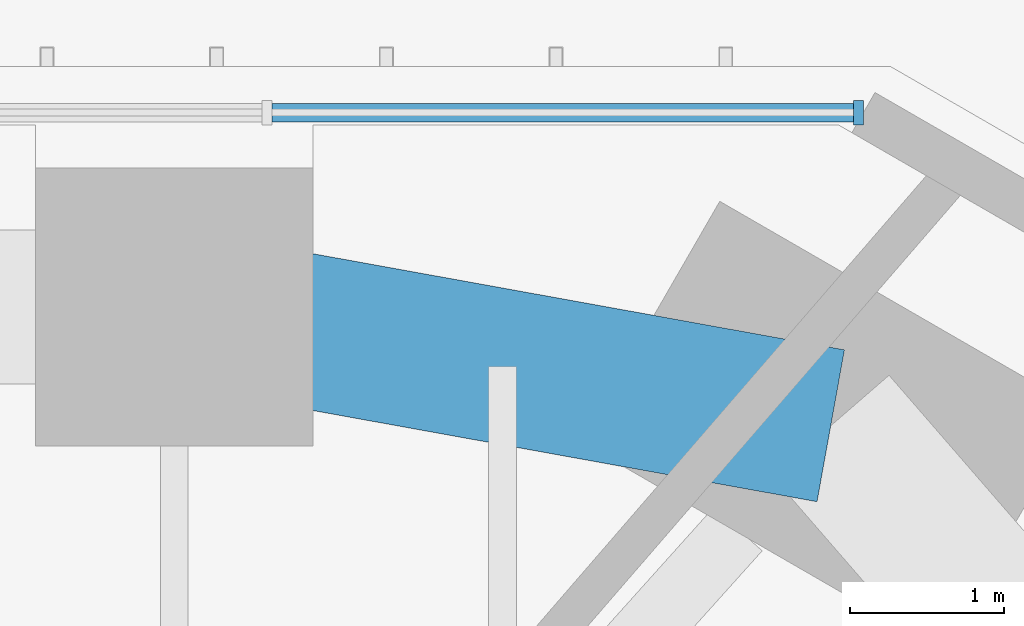
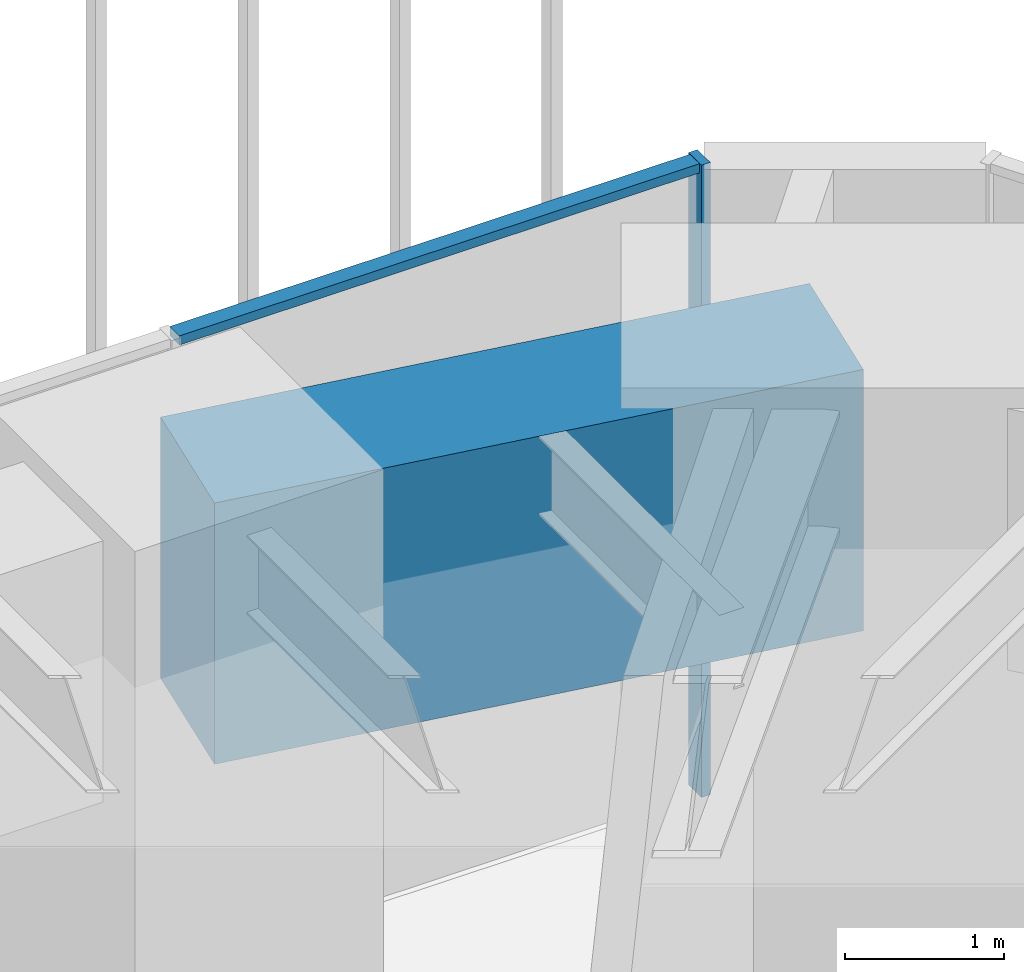
# One storey, part 214 of 228: 2 members, 1 beam, 1 element without a shape of its own.
"""IFC4 building model written with IfcOpenShell, lengths in metres."""

from ifc_helpers import new_model, si_unit, direction, frame, origin, origin_2d, place, context, subcontext, project, spatial, rectangle, extrude, material, material_profile, profile_set, type_object, element, aggregate, save


model = new_model("IFC4")

# Units and contexts
model_context = context("Model", 3, precision=1e-05, world=origin(), true_north=direction((0.0, 1.0)))
body_context = subcontext(model_context, "Body", "Model", "MODEL_VIEW")
ifc_project = project(units=[si_unit("LENGTHUNIT", "METRE"), si_unit("AREAUNIT", "SQUARE_METRE"), si_unit("VOLUMEUNIT", "CUBIC_METRE"), si_unit("PLANEANGLEUNIT", "RADIAN"), si_unit("MASSUNIT", "GRAM", prefix="KILO")], contexts=[model_context])

# Site, building, storey
site_placement = place(None, origin())
site = spatial("IfcSite", under=ifc_project, at=site_placement, CompositionType="ELEMENT")
building_placement = place(site_placement, origin())
building = spatial("IfcBuilding", under=site, at=building_placement, Name="Sandreach Pilgrim Tower", CompositionType="ELEMENT")
storey_placement = place(building_placement, frame((0.0, 0.0, 178.199951171875)))
storey = spatial("IfcBuildingStorey", under=building, at=storey_placement, Name="L44", CompositionType="ELEMENT", Elevation=178.199951171875)

# Curtain wall, members
ifc_material_1 = material(Name="Aluminium framed curtain wall", Category="aluminium")
curtain_wall_type = type_object("IfcCurtainWallType", Name="Upper hotel tower curtain wall", PredefinedType="NOTDEFINED", material=ifc_material_1)
curtain_wall_placement = place(storey_placement, origin())
curtain_wall = element("IfcCurtainWall", 1, at=curtain_wall_placement, inside=storey, type_object=curtain_wall_type, Name="CW-3 L44 N", PredefinedType="NOTDEFINED")
ifc_material_2 = material(Name="Aluminium extrusion", Category="aluminium")
ifc_material_profile_1 = material_profile(ifc_material_2, rectangle(XDim=0.06494140625, YDim=0.159912109375, at=origin_2d()), Name="CW-3M 65X160")
ifc_profile_set_1 = profile_set([ifc_material_profile_1], Name="Aluminium extrusion")
member_type_1 = type_object("IfcMemberType", Name="CW-3 mullion", PredefinedType="MULLION", material=ifc_profile_set_1)
member_1_placement = place(storey_placement, frame((17.357421875, 21.16015625, 0.0), z_axis=(0.0, 0.0, 1.0), x_axis=(1.0, 0.0, 0.0)))
member_1 = element("IfcMember", 2, at=member_1_placement, type_object=member_type_1, Name="CW-3 mullion 10", PredefinedType="MULLION", context=body_context, shape_type="SweptSolid", body=[
    extrude(rectangle(XDim=0.06494140625, YDim=0.159912109375, at=origin_2d()), origin(), (0.0, 0.0, 1.0), 4.840087890625),
])
ifc_material_3 = material(Name="Aluminium extrusion", Category="aluminium")
ifc_material_profile_2 = material_profile(ifc_material_3, rectangle(XDim=0.1201171875, YDim=0.070068359375, at=origin_2d()), Name="CW-3T 120X70")
ifc_profile_set_2 = profile_set([ifc_material_profile_2], Name="Aluminium extrusion")
member_type_2 = type_object("IfcMemberType", Name="CW-3 transom", PredefinedType="USERDEFINED", material=ifc_profile_set_2)
member_2_placement = place(storey_placement, frame((13.557861328125, 21.16015625, 4.804931640625), z_axis=(1.0, 0.0, 0.0), x_axis=(0.0, 1.0, 0.0)))
member_2 = element("IfcMember", 3, at=member_2_placement, type_object=member_type_2, Name="CW-3 head transom 9", ObjectType="TRANSOM", PredefinedType="USERDEFINED", context=body_context, shape_type="SweptSolid", body=[
    extrude(rectangle(XDim=0.1201171875, YDim=0.070068359375, at=origin_2d()), origin(), (0.0, 0.0, 1.0), 3.76708984375),
])
aggregate(curtain_wall, [member_1, member_2])

# Beam
ifc_material_4 = material(Name="Concrete 10000 psi", Category="concrete")
ifc_material_profile_3 = material_profile(ifc_material_4, rectangle(XDim=1.0, YDim=2.0, at=origin_2d()), Name="RC1000X2000")
ifc_profile_set_3 = profile_set([ifc_material_profile_3], Name="Concrete 10000 psi")
beam_type = type_object("IfcBeamType", Name="Spandrel beam RC1000X2000", PredefinedType="SPANDREL", material=ifc_profile_set_3)
beam_placement = place(storey_placement, frame((12.923828125, 19.900146484375, 3.840087890625), z_axis=(0.984030345637, -0.178000783326, 0.0), x_axis=(0.178000783326, 0.984030345637, 0.0)))
element("IfcBeam", 4, at=beam_placement, inside=storey, type_object=beam_type, Name="BM L44 SP08", PredefinedType="SPANDREL", context=body_context, shape_type="SweptSolid", body=[
    extrude(rectangle(XDim=1.0, YDim=2.0, at=origin_2d()), origin(), (0.0, 0.0, 1.0), 4.3232421875),
])

save(model, "model.ifc")
